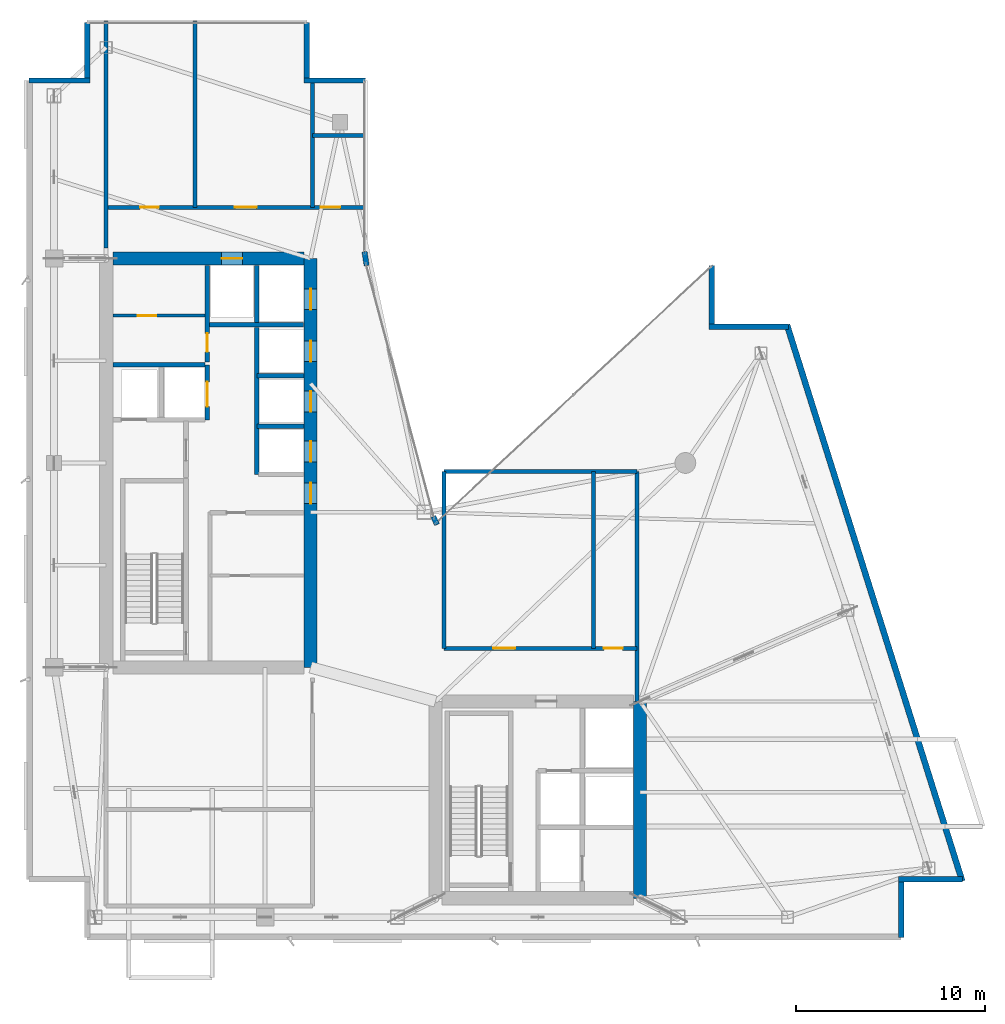
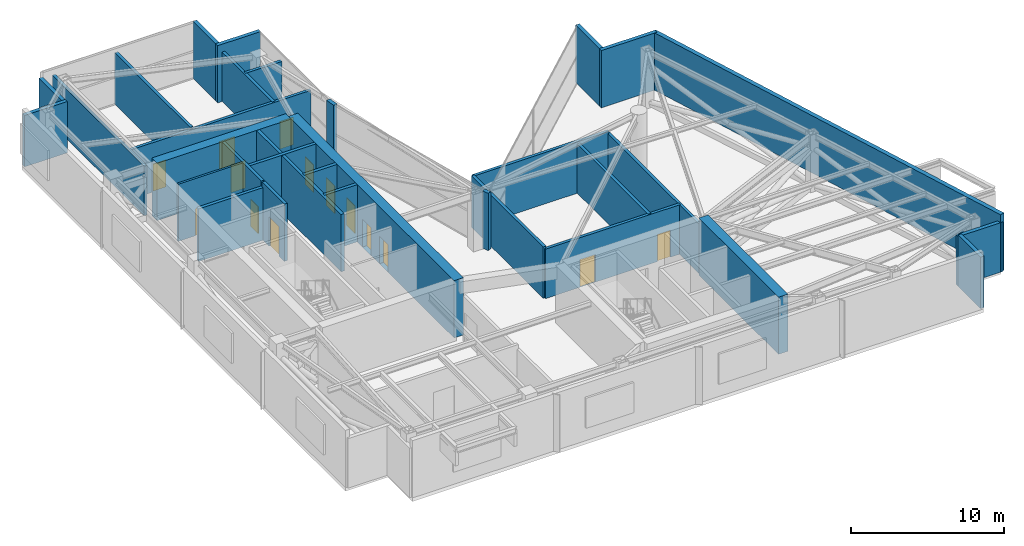
# One storey, part 13 of 16: 33 walls, 14 doors, 14 openings.
"""IFC4 building model written with IfcOpenShell, lengths in metres."""

from ifc_helpers import new_model, si_unit, direction, frame, frame_2d, origin, place, context, subcontext, project, spatial, rectangle, extrude, material, layer, layer_set, type_object, element, fill, save


model = new_model("IFC4")

# Units and contexts
model_context = context("Model", 3, precision=1e-05, world=origin(), true_north=direction((0.0, 1.0)))
body_context = subcontext(model_context, "Body", "Model", "MODEL_VIEW")
ifc_project = project(units=[si_unit("LENGTHUNIT", "METRE"), si_unit("AREAUNIT", "SQUARE_METRE"), si_unit("VOLUMEUNIT", "CUBIC_METRE"), si_unit("PLANEANGLEUNIT", "RADIAN"), si_unit("MASSUNIT", "GRAM", prefix="KILO")], contexts=[model_context])

# Site, building, storey
site_placement = place(None, origin())
site = spatial("IfcSite", under=ifc_project, at=site_placement, CompositionType="ELEMENT")
building_placement = place(site_placement, origin())
building = spatial("IfcBuilding", under=site, at=building_placement, Name="Calvorn Quay Hotel", CompositionType="ELEMENT")
storey_placement = place(building_placement, frame((0.0, 0.0, 234.5)))
storey = spatial("IfcBuildingStorey", under=building, at=storey_placement, Name="L58", CompositionType="ELEMENT", Elevation=234.5)

# Wall, openings, doors
ifc_material_1 = material(Name="Concrete C45", Category="concrete")
ifc_layer_1 = layer(ifc_material_1, 0.699951171875)
ifc_layer_set_1 = layer_set([ifc_layer_1], Name="WL-CORE-700")
wall_type_1 = type_object("IfcWallType", Name="WL-CORE-700", PredefinedType="SHEAR", material=ifc_layer_set_1)
wall_1_placement = place(storey_placement, frame((15.0, 16.800048828125, 0.0), z_axis=(0.0, 0.0, 1.0), x_axis=(0.0, 1.0, 0.0)))
wall_1 = element("IfcWall", 1, at=wall_1_placement, inside=storey, type_object=wall_type_1, Name="West Core Shear Wall E (L58)", PredefinedType="SHEAR", context=body_context, shape_type="SweptSolid", body=[
    extrude(rectangle(XDim=21.599853515625, YDim=0.699951171875, at=frame_2d((10.7998046875, 0.0))), origin(), (0.0, 0.0, 1.0), 4.56005859375),
])
opening_1_placement = place(wall_1_placement, frame((8.64990234375, 0.0, 0.0)))
opening_1 = element("IfcOpeningElement", 2, at=opening_1_placement, cuts=wall_1, Name="Opening D-L58-CW1", PredefinedType="OPENING", context=body_context, shape_type="SweptSolid", body=[
    extrude(rectangle(XDim=1.10009765625, YDim=2.199951171875, at=frame_2d((0.550048828125, 1.10009765625))), frame((0.0, 0.35986328125, 0.0), z_axis=(0.0, -1.0, 0.0), x_axis=(1.0, 0.0, 0.0)), (0.0, 0.0, 1.0), 0.719970703125),
])
opening_2_placement = place(wall_1_placement, frame((10.85009765625, 0.0, 0.0)))
opening_2 = element("IfcOpeningElement", 3, at=opening_2_placement, cuts=wall_1, Name="Opening LD-L58-M1", PredefinedType="OPENING", context=body_context, shape_type="SweptSolid", body=[
    extrude(rectangle(XDim=1.10009765625, YDim=2.199951171875, at=frame_2d((0.550048828125, 1.10009765625))), frame((0.0, 0.35986328125, 0.0), z_axis=(0.0, -1.0, 0.0), x_axis=(1.0, 0.0, 0.0)), (0.0, 0.0, 1.0), 0.719970703125),
])
opening_3_placement = place(wall_1_placement, frame((13.5, 0.0, 0.0)))
opening_3 = element("IfcOpeningElement", 4, at=opening_3_placement, cuts=wall_1, Name="Opening LD-L58-M2", PredefinedType="OPENING", context=body_context, shape_type="SweptSolid", body=[
    extrude(rectangle(XDim=1.10009765625, YDim=2.199951171875, at=frame_2d((0.550048828125, 1.10009765625))), frame((0.0, 0.35986328125, 0.0), z_axis=(0.0, -1.0, 0.0), x_axis=(1.0, 0.0, 0.0)), (0.0, 0.0, 1.0), 0.719970703125),
])
opening_4_placement = place(wall_1_placement, frame((16.14990234375, 0.0, 0.0)))
opening_4 = element("IfcOpeningElement", 5, at=opening_4_placement, cuts=wall_1, Name="Opening LD-L58-M3", PredefinedType="OPENING", context=body_context, shape_type="SweptSolid", body=[
    extrude(rectangle(XDim=1.10009765625, YDim=2.199951171875, at=frame_2d((0.550048828125, 1.10009765625))), frame((0.0, 0.35986328125, 0.0), z_axis=(0.0, -1.0, 0.0), x_axis=(1.0, 0.0, 0.0)), (0.0, 0.0, 1.0), 0.719970703125),
])
opening_5_placement = place(wall_1_placement, frame((18.89990234375, 0.0, 0.0)))
opening_5 = element("IfcOpeningElement", 6, at=opening_5_placement, cuts=wall_1, Name="Opening LD-L58-H1", PredefinedType="OPENING", context=body_context, shape_type="SweptSolid", body=[
    extrude(rectangle(XDim=1.10009765625, YDim=2.199951171875, at=frame_2d((0.550048828125, 1.10009765625))), frame((0.0, 0.35986328125, 0.0), z_axis=(0.0, -1.0, 0.0), x_axis=(1.0, 0.0, 0.0)), (0.0, 0.0, 1.0), 0.719970703125),
])
ifc_material_2 = material(Name="Smoke-Sealed Steel Class A Fire Door", Category="steel")
door_type_1 = type_object("IfcDoorType", Name="DR-FFLOBBY-1100", OperationType="NOTDEFINED", PredefinedType="DOOR", material=ifc_material_2)
door_1_placement = place(opening_1_placement, origin())
door_1 = element("IfcDoor", 7, at=door_1_placement, inside=storey, type_object=door_type_1, Name="West Core Vestibule Fire Door (L58)", OperationType="SINGLE_SWING_LEFT", OverallHeight=2.199951171875, OverallWidth=1.10009765625, PredefinedType="DOOR", context=body_context, shape_type="SweptSolid", body=[
    extrude(rectangle(XDim=1.10009765625, YDim=2.199951171875, at=frame_2d((0.550048828125, 1.10009765625))), frame((0.0, 0.02490234375, 0.0), z_axis=(0.0, -1.0, 0.0), x_axis=(1.0, 0.0, 0.0)), (0.0, 0.0, 1.0), 0.050048828125),
])
fill(opening_1, door_1)
ifc_material_3 = material(Name="Brushed Stainless Steel Sliding Lift Landing Door", Category="steel")
door_type_2 = type_object("IfcDoorType", Name="DR-LIFT-PASS-1100", OperationType="NOTDEFINED", PredefinedType="DOOR", material=ifc_material_3)
door_2_placement = place(opening_2_placement, origin())
door_2 = element("IfcDoor", 8, at=door_2_placement, inside=storey, type_object=door_type_2, Name="Mid-Rise Lift PL-M1 Landing Door (L58)", OperationType="DOUBLE_DOOR_SLIDING", OverallHeight=2.199951171875, OverallWidth=1.10009765625, PredefinedType="DOOR", context=body_context, shape_type="SweptSolid", body=[
    extrude(rectangle(XDim=1.10009765625, YDim=2.199951171875, at=frame_2d((0.550048828125, 1.10009765625))), frame((0.0, 0.02490234375, 0.0), z_axis=(0.0, -1.0, 0.0), x_axis=(1.0, 0.0, 0.0)), (0.0, 0.0, 1.0), 0.050048828125),
])
fill(opening_2, door_2)
door_3_placement = place(opening_3_placement, origin())
door_3 = element("IfcDoor", 9, at=door_3_placement, inside=storey, type_object=door_type_2, Name="Mid-Rise Lift PL-M2 Landing Door (L58)", OperationType="DOUBLE_DOOR_SLIDING", OverallHeight=2.199951171875, OverallWidth=1.10009765625, PredefinedType="DOOR", context=body_context, shape_type="SweptSolid", body=[
    extrude(rectangle(XDim=1.10009765625, YDim=2.199951171875, at=frame_2d((0.550048828125, 1.10009765625))), frame((0.0, 0.02490234375, 0.0), z_axis=(0.0, -1.0, 0.0), x_axis=(1.0, 0.0, 0.0)), (0.0, 0.0, 1.0), 0.050048828125),
])
fill(opening_3, door_3)
door_4_placement = place(opening_4_placement, origin())
door_4 = element("IfcDoor", 10, at=door_4_placement, inside=storey, type_object=door_type_2, Name="Mid-Rise Lift PL-M3 Landing Door (L58)", OperationType="DOUBLE_DOOR_SLIDING", OverallHeight=2.199951171875, OverallWidth=1.10009765625, PredefinedType="DOOR", context=body_context, shape_type="SweptSolid", body=[
    extrude(rectangle(XDim=1.10009765625, YDim=2.199951171875, at=frame_2d((0.550048828125, 1.10009765625))), frame((0.0, 0.02490234375, 0.0), z_axis=(0.0, -1.0, 0.0), x_axis=(1.0, 0.0, 0.0)), (0.0, 0.0, 1.0), 0.050048828125),
])
fill(opening_4, door_4)
door_5_placement = place(opening_5_placement, origin())
door_5 = element("IfcDoor", 11, at=door_5_placement, inside=storey, type_object=door_type_2, Name="High-Rise Lift PL-H1 Landing Door (L58)", OperationType="DOUBLE_DOOR_SLIDING", OverallHeight=2.199951171875, OverallWidth=1.10009765625, PredefinedType="DOOR", context=body_context, shape_type="SweptSolid", body=[
    extrude(rectangle(XDim=1.10009765625, YDim=2.199951171875, at=frame_2d((0.550048828125, 1.10009765625))), frame((0.0, 0.02490234375, 0.0), z_axis=(0.0, -1.0, 0.0), x_axis=(1.0, 0.0, 0.0)), (0.0, 0.0, 1.0), 0.050048828125),
])
fill(opening_5, door_5)

# Wall, opening, door
wall_2_placement = place(storey_placement, frame((4.550048828125, 38.39990234375, 0.0), z_axis=(0.0, 0.0, 1.0), x_axis=(1.0, 0.0, 0.0)))
wall_2 = element("IfcWall", 12, at=wall_2_placement, inside=storey, type_object=wall_type_1, Name="West Core Shear Wall N (L58)", PredefinedType="SHEAR", context=body_context, shape_type="SweptSolid", body=[
    extrude(rectangle(XDim=10.099853515625, YDim=0.699951171875, at=frame_2d((5.0498046875, 0.0))), origin(), (0.0, 0.0, 1.0), 4.56005859375),
])
opening_6_placement = place(wall_2_placement, frame((5.75, 0.0, 0.0)))
opening_6 = element("IfcOpeningElement", 13, at=opening_6_placement, cuts=wall_2, Name="Opening LD-L58-H2", PredefinedType="OPENING", context=body_context, shape_type="SweptSolid", body=[
    extrude(rectangle(XDim=1.10009765625, YDim=2.199951171875, at=frame_2d((0.550048828125, 1.10009765625))), frame((0.0, 0.35986328125, 0.0), z_axis=(0.0, -1.0, 0.0), x_axis=(1.0, 0.0, 0.0)), (0.0, 0.0, 1.0), 0.719970703125),
])
door_6_placement = place(opening_6_placement, origin())
door_6 = element("IfcDoor", 14, at=door_6_placement, inside=storey, type_object=door_type_2, Name="High-Rise Lift PL-H2 Landing Door (L58)", OperationType="DOUBLE_DOOR_SLIDING", OverallHeight=2.199951171875, OverallWidth=1.10009765625, PredefinedType="DOOR", context=body_context, shape_type="SweptSolid", body=[
    extrude(rectangle(XDim=1.10009765625, YDim=2.199951171875, at=frame_2d((0.550048828125, 1.10009765625))), frame((0.0, 0.02490234375, 0.0), z_axis=(0.0, -1.0, 0.0), x_axis=(1.0, 0.0, 0.0)), (0.0, 0.0, 1.0), 0.050048828125),
])
fill(opening_6, door_6)

# Walls
wall_3_placement = place(storey_placement, frame((32.39990234375, 4.60009765625, 0.0), z_axis=(0.0, 0.0, 1.0), x_axis=(0.0, 1.0, 0.0)))
element("IfcWall", 15, at=wall_3_placement, inside=storey, type_object=wall_type_1, Name="East Core Shear Wall E (L58)", PredefinedType="SHEAR", context=body_context, shape_type="SweptSolid", body=[
    extrude(rectangle(XDim=10.39990234375, YDim=0.699951171875, at=frame_2d((5.199951171875, 0.0))), origin(), (0.0, 0.0, 1.0), 4.56005859375),
])
ifc_material_4 = material(Name="Concrete C40", Category="concrete")
ifc_layer_2 = layer(ifc_material_4, 0.320068359375)
ifc_layer_set_2 = layer_set([ifc_layer_2], Name="WL-EXT-SPANDREL-320")
wall_type_2 = type_object("IfcWallType", Name="WL-EXT-SPANDREL-320", PredefinedType="SOLIDWALL", material=ifc_layer_set_2)
wall_4_placement = place(storey_placement, frame((21.679931640625, 24.340087890625, 0.0), z_axis=(0.0, 0.0, 1.0), x_axis=(-0.40758134973, 0.913168901875, 0.0)))
element("IfcWall", 16, at=wall_4_placement, inside=storey, type_object=wall_type_2, Name="Inner Court Corner Pier L58-ICJ1", PredefinedType="SOLIDWALL", context=body_context, shape_type="SweptSolid", body=[
    extrude(rectangle(XDim=0.470703125, YDim=0.280029296875, at=frame_2d((0.2353515625, 0.0))), origin(), (0.0, 0.0, 1.0), 4.56005859375),
])
wall_5_placement = place(storey_placement, frame((17.9619140625, 38.030029296875, 0.0), z_axis=(0.0, 0.0, 1.0), x_axis=(-0.15141125477, 0.988470855377, 0.0)))
element("IfcWall", 17, at=wall_5_placement, inside=storey, type_object=wall_type_2, Name="Inner Court Corner Pier L58-ICJ2", PredefinedType="SOLIDWALL", context=body_context, shape_type="SweptSolid", body=[
    extrude(rectangle(XDim=0.738525390625, YDim=0.280029296875, at=frame_2d((0.369140625, 0.0))), origin(), (0.0, 0.0, 1.0), 4.56005859375),
])
wall_6_placement = place(storey_placement, frame((46.199951171875, 2.52001953125, 0.0), z_axis=(0.0, 0.0, 1.0), x_axis=(0.0, 1.0, 0.0)))
element("IfcWall", 18, at=wall_6_placement, inside=storey, type_object=wall_type_2, Name="Notched Corner Spandrel L58-SE1", PredefinedType="SOLIDWALL", context=body_context, shape_type="SweptSolid", body=[
    extrude(rectangle(XDim=2.93994140625, YDim=0.280029296875, at=frame_2d((1.469970703125, 0.0))), origin(), (0.0, 0.0, 1.0), 4.090087890625),
])
wall_7_placement = place(storey_placement, frame((46.06005859375, 5.60009765625, 0.0), z_axis=(0.0, 0.0, 1.0), x_axis=(1.0, 0.0, 0.0)))
element("IfcWall", 19, at=wall_7_placement, inside=storey, type_object=wall_type_2, Name="Notched Corner Spandrel L58-SE2", PredefinedType="SOLIDWALL", context=body_context, shape_type="SweptSolid", body=[
    extrude(rectangle(XDim=3.3798828125, YDim=0.280029296875, at=frame_2d((1.68994140625, 0.0))), origin(), (0.0, 0.0, 1.0), 3.93994140625),
])
wall_8_placement = place(storey_placement, frame((40.239990234375, 34.800048828125, 0.0), z_axis=(0.0, 0.0, 1.0), x_axis=(-1.0, 0.0, 0.0)))
element("IfcWall", 20, at=wall_8_placement, inside=storey, type_object=wall_type_2, Name="Notched Corner Spandrel L58-NE1", PredefinedType="SOLIDWALL", context=body_context, shape_type="SweptSolid", body=[
    extrude(rectangle(XDim=4.179931640625, YDim=0.280029296875, at=frame_2d((2.08984375, 0.0))), origin(), (0.0, 0.0, 1.0), 4.56005859375),
])
wall_9_placement = place(storey_placement, frame((36.199951171875, 34.93994140625, 0.0), z_axis=(0.0, 0.0, 1.0), x_axis=(0.0, 1.0, 0.0)))
element("IfcWall", 21, at=wall_9_placement, inside=storey, type_object=wall_type_2, Name="Notched Corner Spandrel L58-NE2", PredefinedType="SOLIDWALL", context=body_context, shape_type="SweptSolid", body=[
    extrude(rectangle(XDim=3.10009765625, YDim=0.280029296875, at=frame_2d((1.550048828125, 0.0))), origin(), (0.0, 0.0, 1.0), 4.56005859375),
])
wall_10_placement = place(storey_placement, frame((17.89990234375, 47.800048828125, 0.0), z_axis=(0.0, 0.0, 1.0), x_axis=(-1.0, 0.0, 0.0)))
element("IfcWall", 22, at=wall_10_placement, inside=storey, type_object=wall_type_2, Name="Notched Corner Spandrel L58-NWE1", PredefinedType="SOLIDWALL", context=body_context, shape_type="SweptSolid", body=[
    extrude(rectangle(XDim=3.239990234375, YDim=0.280029296875, at=frame_2d((1.6201171875, 0.0))), origin(), (0.0, 0.0, 1.0), 4.56005859375),
])
wall_11_placement = place(storey_placement, frame((14.800048828125, 47.93994140625, 0.0), z_axis=(0.0, 0.0, 1.0), x_axis=(0.0, 1.0, 0.0)))
element("IfcWall", 23, at=wall_11_placement, inside=storey, type_object=wall_type_2, Name="Notched Corner Spandrel L58-NWE2", PredefinedType="SOLIDWALL", context=body_context, shape_type="SweptSolid", body=[
    extrude(rectangle(XDim=2.93994140625, YDim=0.280029296875, at=frame_2d((1.469970703125, 0.0))), origin(), (0.0, 0.0, 1.0), 4.56005859375),
])
wall_12_placement = place(storey_placement, frame((3.199951171875, 50.8798828125, 0.0), z_axis=(0.0, 0.0, 1.0), x_axis=(0.0, -1.0, 0.0)))
element("IfcWall", 24, at=wall_12_placement, inside=storey, type_object=wall_type_2, Name="Notched Corner Spandrel L58-NW1", PredefinedType="SOLIDWALL", context=body_context, shape_type="SweptSolid", body=[
    extrude(rectangle(XDim=2.93994140625, YDim=0.280029296875, at=frame_2d((1.469970703125, 0.0))), origin(), (0.0, 0.0, 1.0), 4.090087890625),
])
wall_13_placement = place(storey_placement, frame((3.340087890625, 47.800048828125, 0.0), z_axis=(0.0, 0.0, 1.0), x_axis=(-1.0, 0.0, 0.0)))
element("IfcWall", 25, at=wall_13_placement, inside=storey, type_object=wall_type_2, Name="Notched Corner Spandrel L58-NW2", PredefinedType="SOLIDWALL", context=body_context, shape_type="SweptSolid", body=[
    extrude(rectangle(XDim=3.219970703125, YDim=0.280029296875, at=frame_2d((1.60986328125, 0.0))), origin(), (0.0, 0.0, 1.0), 4.090087890625),
])
wall_14_placement = place(storey_placement, frame((49.429931640625, 5.5048828125, 0.0), z_axis=(0.0, 0.0, 1.0), x_axis=(-0.300509063924, 0.953778958931, 0.0)))
element("IfcWall", 26, at=wall_14_placement, inside=storey, type_object=wall_type_2, Name="East Stepped Waterfront Exterior Wall (L58)", PredefinedType="SOLIDWALL", context=body_context, shape_type="SweptSolid", body=[
    extrude(rectangle(XDim=30.814453125, YDim=0.320068359375, at=frame_2d((15.4072265625, 0.0))), origin(), (0.0, 0.0, 1.0), 4.56005859375),
])

# Wall, opening, door
ifc_material_5 = material(Name="Double-Stud Acoustic Gypsum Partition")
ifc_layer_3 = layer(ifc_material_5, 0.159912109375)
ifc_layer_set_3 = layer_set([ifc_layer_3], Name="WL-INTERSUITE-160")
wall_type_3 = type_object("IfcWallType", Name="WL-INTERSUITE-160", PredefinedType="PARTITIONING", material=ifc_layer_set_3)
wall_15_placement = place(storey_placement, frame((4.570068359375, 35.3798828125, 0.0), z_axis=(0.0, 0.0, 1.0), x_axis=(1.0, 0.0, 0.0)))
wall_15 = element("IfcWall", 27, at=wall_15_placement, inside=storey, type_object=wall_type_3, Name="Partition Wall L58-WL-CWW-K-MID", PredefinedType="PARTITIONING", context=body_context, shape_type="SweptSolid", body=[
    extrude(rectangle(XDim=4.849853515625, YDim=0.159912109375, at=frame_2d((2.4248046875, 0.0))), origin(), (0.0, 0.0, 1.0), 4.56005859375),
])
opening_7_placement = place(wall_15_placement, frame((1.300048828125, 0.0, 0.0)))
opening_7 = element("IfcOpeningElement", 28, at=opening_7_placement, cuts=wall_15, Name="Opening D-L58-CK2", PredefinedType="OPENING", context=body_context, shape_type="SweptSolid", body=[
    extrude(rectangle(XDim=0.97998046875, YDim=2.14990234375, at=frame_2d((0.489990234375, 1.074951171875))), frame((0.0, 0.08984375, 0.0), z_axis=(0.0, -1.0, 0.0), x_axis=(1.0, 0.0, 0.0)), (0.0, 0.0, 1.0), 0.179931640625),
])
ifc_material_6 = material(Name="Painted Steel Housekeeping/Riser Fire Door", Category="steel")
door_type_3 = type_object("IfcDoorType", Name="DR-SERVICE-980", OperationType="NOTDEFINED", PredefinedType="DOOR", material=ifc_material_6)
door_7_placement = place(opening_7_placement, origin())
door_7 = element("IfcDoor", 29, at=door_7_placement, inside=storey, type_object=door_type_3, Name="Electrical Riser Door (L58)", OperationType="SINGLE_SWING_RIGHT", OverallHeight=2.14990234375, OverallWidth=0.97998046875, PredefinedType="DOOR", context=body_context, shape_type="SweptSolid", body=[
    extrude(rectangle(XDim=0.97998046875, YDim=2.14990234375, at=frame_2d((0.489990234375, 1.074951171875))), frame((0.0, 0.02490234375, 0.0), z_axis=(0.0, -1.0, 0.0), x_axis=(1.0, 0.0, 0.0)), (0.0, 0.0, 1.0), 0.050048828125),
])
fill(opening_7, door_7)

ifc_material_7 = material(Name="Autoclaved Aerated Masonry Block", Category="masonry")
ifc_layer_4 = layer(ifc_material_7, 0.219970703125)
ifc_layer_set_4 = layer_set([ifc_layer_4], Name="WL-LOBBY-FIRE-220")
wall_type_4 = type_object("IfcWallType", Name="WL-LOBBY-FIRE-220", PredefinedType="SOLIDWALL", material=ifc_layer_set_4)
wall_16_placement = place(storey_placement, frame((9.5400390625, 32.919921875, 0.0), z_axis=(0.0, 0.0, 1.0), x_axis=(0.0, 1.0, 0.0)))
wall_16 = element("IfcWall", 30, at=wall_16_placement, inside=storey, type_object=wall_type_4, Name="Partition Wall L58-WL-CWW-K-E", PredefinedType="SOLIDWALL", context=body_context, shape_type="SweptSolid", body=[
    extrude(rectangle(XDim=5.110107421875, YDim=0.219970703125, at=frame_2d((2.55517578125, 0.0))), origin(), (0.0, 0.0, 1.0), 4.56005859375),
])
opening_8_placement = place(wall_16_placement, frame((0.550048828125, 0.0, 0.0)))
opening_8 = element("IfcOpeningElement", 31, at=opening_8_placement, cuts=wall_16, Name="Opening D-L58-CK1", PredefinedType="OPENING", context=body_context, shape_type="SweptSolid", body=[
    extrude(rectangle(XDim=0.97998046875, YDim=2.14990234375, at=frame_2d((0.489990234375, 1.074951171875))), frame((0.0, 0.119873046875, 0.0), z_axis=(0.0, -1.0, 0.0), x_axis=(1.0, 0.0, 0.0)), (0.0, 0.0, 1.0), 0.239990234375),
])
door_8_placement = place(opening_8_placement, origin())
door_8 = element("IfcDoor", 32, at=door_8_placement, inside=storey, type_object=door_type_3, Name="Core Housekeeping Door (L58)", OperationType="SINGLE_SWING_LEFT", OverallHeight=2.14990234375, OverallWidth=0.97998046875, PredefinedType="DOOR", context=body_context, shape_type="SweptSolid", body=[
    extrude(rectangle(XDim=0.97998046875, YDim=2.14990234375, at=frame_2d((0.489990234375, 1.074951171875))), frame((0.0, 0.02490234375, 0.0), z_axis=(0.0, -1.0, 0.0), x_axis=(1.0, 0.0, 0.0)), (0.0, 0.0, 1.0), 0.050048828125),
])
fill(opening_8, door_8)

# Walls
wall_17_placement = place(storey_placement, frame((4.199951171875, 38.949951171875, 0.0), z_axis=(0.0, 0.0, 1.0), x_axis=(0.0, 1.0, 0.0)))
element("IfcWall", 33, at=wall_17_placement, inside=storey, type_object=wall_type_4, Name="Partition Wall L58-WL-RF-BELT-NW", PredefinedType="SOLIDWALL", context=body_context, shape_type="SweptSolid", body=[
    extrude(rectangle(XDim=11.989990234375, YDim=0.219970703125, at=frame_2d((5.9951171875, 0.0))), origin(), (0.0, 0.0, 1.0), 3.93994140625),
])
wall_18_placement = place(storey_placement, frame((8.89990234375, 41.10009765625, 0.0), z_axis=(0.0, 0.0, 1.0), x_axis=(0.0, 1.0, 0.0)))
element("IfcWall", 34, at=wall_18_placement, inside=storey, type_object=wall_type_4, Name="Partition Wall L58-WL-RF-EL-E", PredefinedType="SOLIDWALL", context=body_context, shape_type="SweptSolid", body=[
    extrude(rectangle(XDim=9.83984375, YDim=0.219970703125, at=frame_2d((4.919921875, 0.0))), origin(), (0.0, 0.0, 1.0), 4.090087890625),
])

# Wall, openings, doors
wall_19_placement = place(storey_placement, frame((4.199951171875, 41.10009765625, 0.0), z_axis=(0.0, 0.0, 1.0), x_axis=(1.0, 0.0, 0.0)))
wall_19 = element("IfcWall", 35, at=wall_19_placement, inside=storey, type_object=wall_type_4, Name="Partition Wall L58-WL-RF-N-S", PredefinedType="SOLIDWALL", context=body_context, shape_type="SweptSolid", body=[
    extrude(rectangle(XDim=13.650146484375, YDim=0.219970703125, at=frame_2d((6.8251953125, 0.0))), origin(), (0.0, 0.0, 1.0), 3.93994140625),
])
opening_9_placement = place(wall_19_placement, frame((1.800048828125, 0.0, 0.0)))
opening_9 = element("IfcOpeningElement", 36, at=opening_9_placement, cuts=wall_19, Name="Opening D-L58-P3", PredefinedType="OPENING", context=body_context, shape_type="SweptSolid", body=[
    extrude(rectangle(XDim=0.97998046875, YDim=2.14990234375, at=frame_2d((0.489990234375, 1.074951171875))), frame((0.0, 0.119873046875, 0.0), z_axis=(0.0, -1.0, 0.0), x_axis=(1.0, 0.0, 0.0)), (0.0, 0.0, 1.0), 0.239990234375),
])
opening_10_placement = place(wall_19_placement, frame((6.800048828125, 0.0, 0.0)))
opening_10 = element("IfcOpeningElement", 37, at=opening_10_placement, cuts=wall_19, Name="Opening D-L58-RF1", PredefinedType="OPENING", context=body_context, shape_type="SweptSolid", body=[
    extrude(rectangle(XDim=1.14990234375, YDim=2.199951171875, at=frame_2d((0.574951171875, 1.10009765625))), frame((0.0, 0.119873046875, 0.0), z_axis=(0.0, -1.0, 0.0), x_axis=(1.0, 0.0, 0.0)), (0.0, 0.0, 1.0), 0.239990234375),
])
opening_11_placement = place(wall_19_placement, frame((11.35009765625, 0.0, 0.0)))
opening_11 = element("IfcOpeningElement", 38, at=opening_11_placement, cuts=wall_19, Name="Opening D-L58-RFW", PredefinedType="OPENING", context=body_context, shape_type="SweptSolid", body=[
    extrude(rectangle(XDim=1.02001953125, YDim=2.199951171875, at=frame_2d((0.510009765625, 1.10009765625))), frame((0.0, 0.119873046875, 0.0), z_axis=(0.0, -1.0, 0.0), x_axis=(1.0, 0.0, 0.0)), (0.0, 0.0, 1.0), 0.239990234375),
])
ifc_material_8 = material(Name="Solid-Core Walnut Veneer Hotel Fire Door")
door_type_4 = type_object("IfcDoorType", Name="DR-GUEST-ENTRY-1020", OperationType="NOTDEFINED", PredefinedType="DOOR", material=ifc_material_8)
door_9_placement = place(opening_11_placement, origin())
door_9 = element("IfcDoor", 39, at=door_9_placement, inside=storey, type_object=door_type_4, Name="Refuge Accessible WC Door", OperationType="SINGLE_SWING_RIGHT", OverallHeight=2.199951171875, OverallWidth=1.02001953125, PredefinedType="DOOR", context=body_context, shape_type="SweptSolid", body=[
    extrude(rectangle(XDim=1.02001953125, YDim=2.199951171875, at=frame_2d((0.510009765625, 1.10009765625))), frame((0.0, 0.02490234375, 0.0), z_axis=(0.0, -1.0, 0.0), x_axis=(1.0, 0.0, 0.0)), (0.0, 0.0, 1.0), 0.050048828125),
])
fill(opening_11, door_9)
door_10_placement = place(opening_9_placement, origin())
door_10 = element("IfcDoor", 40, at=door_10_placement, inside=storey, type_object=door_type_3, Name="Electrical Substation Door", OperationType="SINGLE_SWING_LEFT", OverallHeight=2.14990234375, OverallWidth=0.97998046875, PredefinedType="DOOR", context=body_context, shape_type="SweptSolid", body=[
    extrude(rectangle(XDim=0.97998046875, YDim=2.14990234375, at=frame_2d((0.489990234375, 1.074951171875))), frame((0.0, 0.02490234375, 0.0), z_axis=(0.0, -1.0, 0.0), x_axis=(1.0, 0.0, 0.0)), (0.0, 0.0, 1.0), 0.050048828125),
])
fill(opening_9, door_10)
ifc_material_9 = material(Name="Galvanised Steel Class A Fire Door", Category="steel")
door_type_5 = type_object("IfcDoorType", Name="DR-STAIR-SMOKE-1150", OperationType="NOTDEFINED", PredefinedType="DOOR", material=ifc_material_9)
door_11_placement = place(opening_10_placement, origin())
door_11 = element("IfcDoor", 41, at=door_11_placement, inside=storey, type_object=door_type_5, Name="North Refuge Area Fire Door", OperationType="SINGLE_SWING_LEFT", OverallHeight=2.199951171875, OverallWidth=1.14990234375, PredefinedType="DOOR", context=body_context, shape_type="SweptSolid", body=[
    extrude(rectangle(XDim=1.14990234375, YDim=2.199951171875, at=frame_2d((0.574951171875, 1.10009765625))), frame((0.0, 0.02490234375, 0.0), z_axis=(0.0, -1.0, 0.0), x_axis=(1.0, 0.0, 0.0)), (0.0, 0.0, 1.0), 0.050048828125),
])
fill(opening_10, door_11)

# Walls
wall_20_placement = place(storey_placement, frame((15.10009765625, 41.10009765625, 0.0), z_axis=(0.0, 0.0, 1.0), x_axis=(0.0, 1.0, 0.0)))
element("IfcWall", 42, at=wall_20_placement, inside=storey, type_object=wall_type_4, Name="Partition Wall L58-WL-RF-WC-W", PredefinedType="SOLIDWALL", context=body_context, shape_type="SweptSolid", body=[
    extrude(rectangle(XDim=6.699951171875, YDim=0.219970703125, at=frame_2d((3.35009765625, 0.0))), origin(), (0.0, 0.0, 1.0), 3.93994140625),
])
wall_21_placement = place(storey_placement, frame((15.10009765625, 44.89990234375, 0.0), z_axis=(0.0, 0.0, 1.0), x_axis=(1.0, 0.0, 0.0)))
element("IfcWall", 43, at=wall_21_placement, inside=storey, type_object=wall_type_4, Name="Partition Wall L58-WL-RF-WC-N", PredefinedType="SOLIDWALL", context=body_context, shape_type="SweptSolid", body=[
    extrude(rectangle(XDim=2.75, YDim=0.219970703125, at=frame_2d((1.375, 0.0))), origin(), (0.0, 0.0, 1.0), 3.93994140625),
])

# Wall, openings, doors
wall_22_placement = place(storey_placement, frame((22.050048828125, 17.800048828125, 0.0), z_axis=(0.0, 0.0, 1.0), x_axis=(1.0, 0.0, 0.0)))
wall_22 = element("IfcWall", 44, at=wall_22_placement, inside=storey, type_object=wall_type_4, Name="Partition Wall L58-WL-RF-C-S", PredefinedType="SOLIDWALL", context=body_context, shape_type="SweptSolid", body=[
    extrude(rectangle(XDim=10.199951171875, YDim=0.219970703125, at=frame_2d((5.10009765625, 0.0))), origin(), (0.0, 0.0, 1.0), 3.93994140625),
])
opening_12_placement = place(wall_22_placement, frame((2.60009765625, 0.0, 0.0)))
opening_12 = element("IfcOpeningElement", 45, at=opening_12_placement, cuts=wall_22, Name="Opening D-L58-RF2", PredefinedType="OPENING", context=body_context, shape_type="SweptSolid", body=[
    extrude(rectangle(XDim=1.14990234375, YDim=2.199951171875, at=frame_2d((0.574951171875, 1.10009765625))), frame((0.0, 0.119873046875, 0.0), z_axis=(0.0, -1.0, 0.0), x_axis=(1.0, 0.0, 0.0)), (0.0, 0.0, 1.0), 0.239990234375),
])
opening_13_placement = place(wall_22_placement, frame((8.449951171875, 0.0, 0.0)))
opening_13 = element("IfcOpeningElement", 46, at=opening_13_placement, cuts=wall_22, Name="Opening D-L58-P4", PredefinedType="OPENING", context=body_context, shape_type="SweptSolid", body=[
    extrude(rectangle(XDim=0.97998046875, YDim=2.14990234375, at=frame_2d((0.489990234375, 1.074951171875))), frame((0.0, 0.119873046875, 0.0), z_axis=(0.0, -1.0, 0.0), x_axis=(1.0, 0.0, 0.0)), (0.0, 0.0, 1.0), 0.239990234375),
])
door_12_placement = place(opening_13_placement, origin())
door_12 = element("IfcDoor", 47, at=door_12_placement, inside=storey, type_object=door_type_3, Name="Pressurization Fan Plant Door", OperationType="SINGLE_SWING_RIGHT", OverallHeight=2.14990234375, OverallWidth=0.97998046875, PredefinedType="DOOR", context=body_context, shape_type="SweptSolid", body=[
    extrude(rectangle(XDim=0.97998046875, YDim=2.14990234375, at=frame_2d((0.489990234375, 1.074951171875))), frame((0.0, 0.02490234375, 0.0), z_axis=(0.0, -1.0, 0.0), x_axis=(1.0, 0.0, 0.0)), (0.0, 0.0, 1.0), 0.050048828125),
])
fill(opening_13, door_12)
door_13_placement = place(opening_12_placement, origin())
door_13 = element("IfcDoor", 48, at=door_13_placement, inside=storey, type_object=door_type_5, Name="Harbour Refuge Area Fire Door", OperationType="SINGLE_SWING_LEFT", OverallHeight=2.199951171875, OverallWidth=1.14990234375, PredefinedType="DOOR", context=body_context, shape_type="SweptSolid", body=[
    extrude(rectangle(XDim=1.14990234375, YDim=2.199951171875, at=frame_2d((0.574951171875, 1.10009765625))), frame((0.0, 0.02490234375, 0.0), z_axis=(0.0, -1.0, 0.0), x_axis=(1.0, 0.0, 0.0)), (0.0, 0.0, 1.0), 0.050048828125),
])
fill(opening_12, door_13)

# Walls
wall_23_placement = place(storey_placement, frame((29.949951171875, 17.800048828125, 0.0), z_axis=(0.0, 0.0, 1.0), x_axis=(0.0, 1.0, 0.0)))
element("IfcWall", 49, at=wall_23_placement, inside=storey, type_object=wall_type_4, Name="Partition Wall L58-WL-RF-C-DIV", PredefinedType="SOLIDWALL", context=body_context, shape_type="SweptSolid", body=[
    extrude(rectangle(XDim=9.349853515625, YDim=0.219970703125, at=frame_2d((4.6748046875, 0.0))), origin(), (0.0, 0.0, 1.0), 3.93994140625),
])
wall_24_placement = place(storey_placement, frame((22.050048828125, 17.800048828125, 0.0), z_axis=(0.0, 0.0, 1.0), x_axis=(0.0, 1.0, 0.0)))
element("IfcWall", 50, at=wall_24_placement, inside=storey, type_object=wall_type_4, Name="Partition Wall L58-WL-RF-C-W", PredefinedType="SOLIDWALL", context=body_context, shape_type="SweptSolid", body=[
    extrude(rectangle(XDim=9.349853515625, YDim=0.219970703125, at=frame_2d((4.6748046875, 0.0))), origin(), (0.0, 0.0, 1.0), 4.090087890625),
])
wall_25_placement = place(storey_placement, frame((32.25, 15.0, 0.0), z_axis=(0.0, 0.0, 1.0), x_axis=(0.0, 1.0, 0.0)))
element("IfcWall", 51, at=wall_25_placement, inside=storey, type_object=wall_type_4, Name="Partition Wall L58-WL-RF-C-E", PredefinedType="SOLIDWALL", context=body_context, shape_type="SweptSolid", body=[
    extrude(rectangle(XDim=12.14990234375, YDim=0.219970703125, at=frame_2d((6.074951171875, 0.0))), origin(), (0.0, 0.0, 1.0), 3.93994140625),
])
wall_26_placement = place(storey_placement, frame((22.050048828125, 27.14990234375, 0.0), z_axis=(0.0, 0.0, 1.0), x_axis=(1.0, 0.0, 0.0)))
element("IfcWall", 52, at=wall_26_placement, inside=storey, type_object=wall_type_4, Name="Partition Wall L58-WL-RF-C-N", PredefinedType="SOLIDWALL", context=body_context, shape_type="SweptSolid", body=[
    extrude(rectangle(XDim=10.199951171875, YDim=0.219970703125, at=frame_2d((5.10009765625, 0.0))), origin(), (0.0, 0.0, 1.0), 4.090087890625),
])
ifc_material_10 = material(Name="Concrete C40", Category="concrete")
ifc_layer_5 = layer(ifc_material_10, 0.239990234375)
ifc_layer_set_5 = layer_set([ifc_layer_5], Name="WL-SHAFT-240")
wall_type_5 = type_object("IfcWallType", Name="WL-SHAFT-240", PredefinedType="SOLIDWALL", material=ifc_layer_set_5)
for number, where, z_axis, x_axis, name in (
    (53, (12.179931640625, 29.550048828125, 0.0), (0.0, 0.0, 1.0), (1.0, 0.0, 0.0), "Lift Hoistway Divider Wall PLM12 (L58)"),
    (54, (12.179931640625, 32.199951171875, 0.0), (0.0, 0.0, 1.0), (1.0, 0.0, 0.0), "Lift Hoistway Divider Wall PLM23 (L58)"),
):
    element("IfcWall", number, at=place(storey_placement, frame(where, z_axis=z_axis, x_axis=x_axis)), inside=storey, type_object=wall_type_5, Name=name, PredefinedType="SOLIDWALL", context=body_context, shape_type="SweptSolid", body=[
        extrude(rectangle(XDim=2.469970703125, YDim=0.239990234375, at=frame_2d((1.23486328125, 0.0))), origin(), (0.0, 0.0, 1.0), 4.56005859375),
    ])

# Wall, opening, door
wall_27_placement = place(storey_placement, frame((9.5400390625, 29.8798828125, 0.0), z_axis=(0.0, 0.0, 1.0), x_axis=(0.0, 1.0, 0.0)))
wall_27 = element("IfcWall", 55, at=wall_27_placement, inside=storey, type_object=wall_type_5, Name="Partition Wall L58-WL-CWW-SLW-E", PredefinedType="SOLIDWALL", context=body_context, shape_type="SweptSolid", body=[
    extrude(rectangle(XDim=2.900146484375, YDim=0.239990234375, at=frame_2d((1.4501953125, 0.0))), origin(), (0.0, 0.0, 1.0), 4.56005859375),
])
opening_14_placement = place(wall_27_placement, frame((0.699951171875, 0.0, 0.0)))
opening_14 = element("IfcOpeningElement", 56, at=opening_14_placement, cuts=wall_27, Name="Opening LD-L58-SLW1", PredefinedType="OPENING", context=body_context, shape_type="SweptSolid", body=[
    extrude(rectangle(XDim=1.300048828125, YDim=2.35009765625, at=frame_2d((0.64990234375, 1.175048828125))), frame((0.0, 0.1298828125, 0.0), z_axis=(0.0, -1.0, 0.0), x_axis=(1.0, 0.0, 0.0)), (0.0, 0.0, 1.0), 0.260009765625),
])
ifc_material_11 = material(Name="Champagne-Bronze Sliding Express Lift Landing Door")
door_type_6 = type_object("IfcDoorType", Name="DR-LIFT-SHUTTLE-1300", OperationType="NOTDEFINED", PredefinedType="DOOR", material=ifc_material_11)
door_14_placement = place(opening_14_placement, origin())
door_14 = element("IfcDoor", 57, at=door_14_placement, inside=storey, type_object=door_type_6, Name="Service Lift SL-W1 Landing Door (L58)", OperationType="DOUBLE_DOOR_SLIDING", OverallHeight=2.35009765625, OverallWidth=1.300048828125, PredefinedType="DOOR", context=body_context, shape_type="SweptSolid", body=[
    extrude(rectangle(XDim=1.300048828125, YDim=2.35009765625, at=frame_2d((0.64990234375, 1.175048828125))), frame((0.0, 0.02490234375, 0.0), z_axis=(0.0, -1.0, 0.0), x_axis=(1.0, 0.0, 0.0)), (0.0, 0.0, 1.0), 0.050048828125),
])
fill(opening_14, door_14)

# Walls
wall_28_placement = place(storey_placement, frame((4.570068359375, 32.780029296875, 0.0), z_axis=(0.0, 0.0, 1.0), x_axis=(1.0, 0.0, 0.0)))
element("IfcWall", 58, at=wall_28_placement, inside=storey, type_object=wall_type_5, Name="Partition Wall L58-WL-CWW-SLW-N", PredefinedType="SOLIDWALL", context=body_context, shape_type="SweptSolid", body=[
    extrude(rectangle(XDim=4.849853515625, YDim=0.239990234375, at=frame_2d((2.4248046875, 0.0))), origin(), (0.0, 0.0, 1.0), 4.18994140625),
])
wall_29_placement = place(storey_placement, frame((12.14990234375, 27.0, 0.0), z_axis=(0.0, 0.0, 1.0), x_axis=(0.0, 1.0, 0.0)))
element("IfcWall", 59, at=wall_29_placement, inside=storey, type_object=wall_type_5, Name="Partition Wall L58-WL-CWW-PLM-W", PredefinedType="SOLIDWALL", context=body_context, shape_type="SweptSolid", body=[
    extrude(rectangle(XDim=7.75, YDim=0.239990234375, at=frame_2d((3.875, 0.0))), origin(), (0.0, 0.0, 1.0), 4.56005859375),
])
wall_30_placement = place(storey_placement, frame((9.659912109375, 34.89990234375, 0.0), z_axis=(0.0, 0.0, 1.0), x_axis=(1.0, 0.0, 0.0)))
element("IfcWall", 60, at=wall_30_placement, inside=storey, type_object=wall_type_5, Name="Partition Wall L58-WL-CWW-PLH-S", PredefinedType="SOLIDWALL", context=body_context, shape_type="SweptSolid", body=[
    extrude(rectangle(XDim=4.969970703125, YDim=0.239990234375, at=frame_2d((2.48486328125, 0.0))), origin(), (0.0, 0.0, 1.0), 4.56005859375),
])
wall_31_placement = place(storey_placement, frame((12.14990234375, 35.02001953125, 0.0), z_axis=(0.0, 0.0, 1.0), x_axis=(0.0, 1.0, 0.0)))
element("IfcWall", 61, at=wall_31_placement, inside=storey, type_object=wall_type_5, Name="Partition Wall L58-WL-CWW-PLH-DIV", PredefinedType="SOLIDWALL", context=body_context, shape_type="SweptSolid", body=[
    extrude(rectangle(XDim=3.010009765625, YDim=0.239990234375, at=frame_2d((1.5048828125, 0.0))), origin(), (0.0, 0.0, 1.0), 4.56005859375),
])

save(model, "model.ifc")
